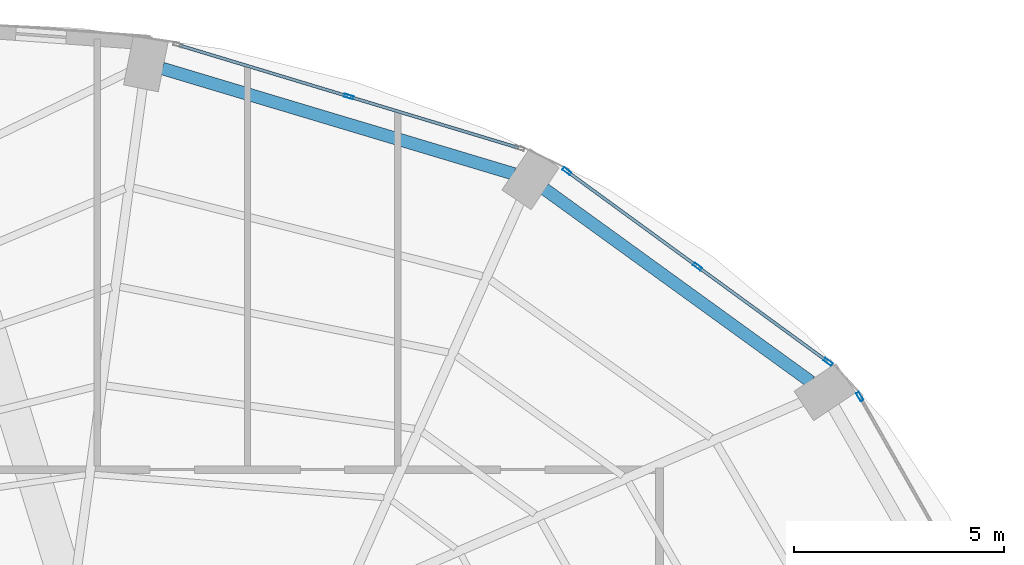
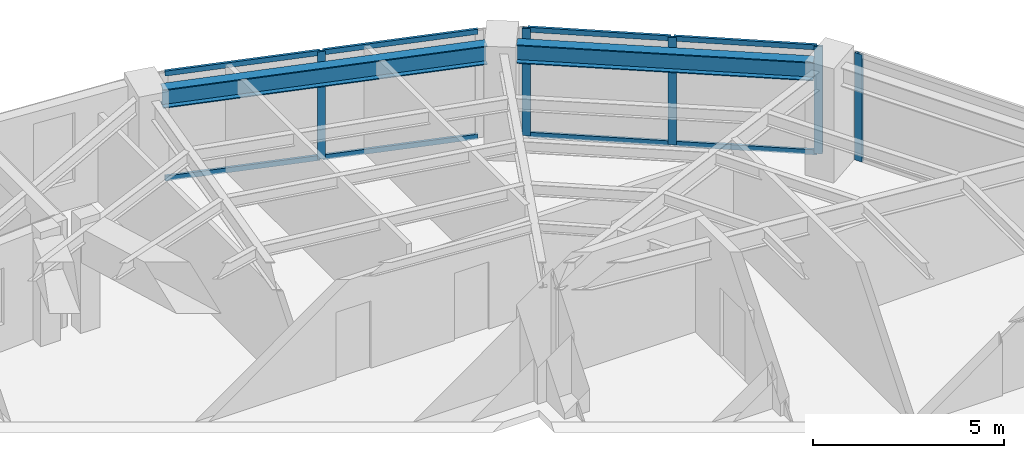
# One storey, part 17 of 23: 13 members, 2 beams, 3 elements without a shape of their own.
"""IFC4 building model written with IfcOpenShell, lengths in metres."""

from ifc_helpers import new_model, si_unit, direction, frame, origin, origin_2d, place, context, subcontext, project, spatial, hollow_rectangle, i_section, extrude, material, layer, layer_set, material_profile, profile_set, type_object, element, aggregate, save


model = new_model("IFC4")

# Units and contexts
model_context = context("Model", 3, precision=1e-05, world=origin(), true_north=direction((0.0, 1.0)))
body_context = subcontext(model_context, "Body", "Model", "MODEL_VIEW")
ifc_project = project(units=[si_unit("LENGTHUNIT", "METRE"), si_unit("AREAUNIT", "SQUARE_METRE"), si_unit("VOLUMEUNIT", "CUBIC_METRE"), si_unit("PLANEANGLEUNIT", "RADIAN"), si_unit("MASSUNIT", "GRAM", prefix="KILO")], contexts=[model_context])

# Site, building, storey
site_placement = place(None, origin())
site = spatial("IfcSite", under=ifc_project, at=site_placement, CompositionType="ELEMENT")
building_placement = place(site_placement, origin())
building = spatial("IfcBuilding", under=site, at=building_placement, Name="Lazwardi Medical Tower", CompositionType="ELEMENT")
storey_placement = place(building_placement, frame((0.0, 0.0, 89.0400390625)))
storey = spatial("IfcBuildingStorey", under=building, at=storey_placement, Name="L22", CompositionType="ELEMENT", Elevation=89.0400390625)

# Beams
ifc_material_1 = material(Name="Steel S355", Category="steel")
ifc_material_profile_1 = material_profile(ifc_material_1, i_section(OverallWidth=0.300048828125, OverallDepth=0.60009765625, WebThickness=0.015380859375, FlangeThickness=0.030029296875, at=origin_2d()), Name="HEB 600")
ifc_profile_set_1 = profile_set([ifc_material_profile_1], Name="Steel S355")
beam_type = type_object("IfcBeamType", Name="BM-RB-Z2", PredefinedType="BEAM", material=ifc_profile_set_1)
beam_1_placement = place(storey_placement, frame((56.74560546875, 40.835205078125, 3.1279296875), z_axis=(-0.81005674773, 0.586351486275, 0.0), x_axis=(-0.586351486275, -0.81005674773, 0.0)))
element("IfcBeam", 1, at=beam_1_placement, inside=storey, type_object=beam_type, Name="Ring beam RB-03 B06 L22", PredefinedType="BEAM", context=body_context, shape_type="SweptSolid", body=[
    extrude(i_section(OverallWidth=0.300048828125, OverallDepth=0.60009765625, WebThickness=0.015380859375, FlangeThickness=0.030029296875, at=origin_2d()), origin(), (0.0, 0.0, 1.0), 7.81396484375),
])
beam_2_placement = place(storey_placement, frame((49.69091796875, 45.775390625, 3.1279296875), z_axis=(-0.957879438442, 0.287170648587, 0.0), x_axis=(-0.287170648587, -0.957879438442, 0.0)))
element("IfcBeam", 2, at=beam_2_placement, inside=storey, type_object=beam_type, Name="Ring beam RB-03 B07 L22", PredefinedType="BEAM", context=body_context, shape_type="SweptSolid", body=[
    extrude(i_section(OverallWidth=0.300048828125, OverallDepth=0.60009765625, WebThickness=0.015380859375, FlangeThickness=0.030029296875, at=origin_2d()), origin(), (0.0, 0.0, 1.0), 8.719970703125),
])

# Curtain wall, member
ifc_material_2 = material(Name="Anodised bronze aluminium and solar control glazing", Category="aluminium")
ifc_layer = layer(ifc_material_2, 0.195068359375)
ifc_layer_set = layer_set([ifc_layer], Name="Anodised bronze aluminium and solar control glazing")
curtain_wall_type = type_object("IfcCurtainWallType", Name="CW-SYS-03", PredefinedType="NOTDEFINED", material=ifc_layer_set)
curtain_wall_1_placement = place(storey_placement, origin())
curtain_wall_1 = element("IfcCurtainWall", 3, at=curtain_wall_1_placement, inside=storey, type_object=curtain_wall_type, Name="L22 Unitised bronze curtain wall CW-03", PredefinedType="NOTDEFINED")
ifc_material_3 = material(Name="Anodised bronze aluminium", Category="aluminium")
ifc_material_profile_2 = material_profile(ifc_material_3, hollow_rectangle(XDim=0.074951171875, YDim=0.219970703125, WallThickness=0.00390625, at=origin_2d()), Name="ALU-MULLION 220x75x4")
ifc_profile_set_2 = profile_set([ifc_material_profile_2], Name="Anodised bronze aluminium")
member_type_1 = type_object("IfcMemberType", Name="CW-MUL-01", PredefinedType="MULLION", material=ifc_profile_set_2)
member_1_placement = place(storey_placement, frame((57.9072265625, 40.48583984375, 0.0), z_axis=(0.0, 0.0, 1.0), x_axis=(-0.869687265712, -0.493603140041, 0.0)))
member_1 = element("IfcMember", 4, at=member_1_placement, type_object=member_type_1, Name="CW-03 mullion 2", PredefinedType="MULLION", context=body_context, shape_type="SweptSolid", body=[
    extrude(hollow_rectangle(XDim=0.074951171875, YDim=0.219970703125, WallThickness=0.00390625, at=origin_2d()), origin(), (0.0, 0.0, 1.0), 3.427978515625),
])
aggregate(curtain_wall_1, [member_1])

# Curtain wall, members
curtain_wall_2_placement = place(storey_placement, origin())
curtain_wall_2 = element("IfcCurtainWall", 5, at=curtain_wall_2_placement, inside=storey, type_object=curtain_wall_type, Name="L22 Unitised bronze curtain wall CW-03", PredefinedType="NOTDEFINED")
member_2_placement = place(storey_placement, frame((57.155029296875, 41.308837890625, 0.0), z_axis=(0.0, 0.0, 1.0), x_axis=(-0.589530882802, -0.807745837639, 0.0)))
member_2 = element("IfcMember", 6, at=member_2_placement, type_object=member_type_1, Name="CW-03 mullion 1", PredefinedType="MULLION", context=body_context, shape_type="SweptSolid", body=[
    extrude(hollow_rectangle(XDim=0.074951171875, YDim=0.219970703125, WallThickness=0.00390625, at=origin_2d()), origin(), (0.0, 0.0, 1.0), 3.427978515625),
])
member_3_placement = place(storey_placement, frame((54.051025390625, 43.57421875, 0.0), z_axis=(0.0, 0.0, 1.0), x_axis=(-0.589530882802, -0.807745837639, 0.0)))
member_3 = element("IfcMember", 7, at=member_3_placement, type_object=member_type_1, Name="CW-03 mullion 2", PredefinedType="MULLION", context=body_context, shape_type="SweptSolid", body=[
    extrude(hollow_rectangle(XDim=0.074951171875, YDim=0.219970703125, WallThickness=0.00390625, at=origin_2d()), origin(), (0.0, 0.0, 1.0), 3.427978515625),
])
member_4_placement = place(storey_placement, frame((50.947265625, 45.839599609375, 0.0), z_axis=(0.0, 0.0, 1.0), x_axis=(-0.589530882802, -0.807745837639, 0.0)))
member_4 = element("IfcMember", 8, at=member_4_placement, type_object=member_type_1, Name="CW-03 mullion 3", PredefinedType="MULLION", context=body_context, shape_type="SweptSolid", body=[
    extrude(hollow_rectangle(XDim=0.074951171875, YDim=0.219970703125, WallThickness=0.00390625, at=origin_2d()), origin(), (0.0, 0.0, 1.0), 3.427978515625),
])

# Curtain wall, member
curtain_wall_3_placement = place(storey_placement, origin())
curtain_wall_3 = element("IfcCurtainWall", 9, at=curtain_wall_3_placement, inside=storey, type_object=curtain_wall_type, Name="L22 Unitised bronze curtain wall CW-03", PredefinedType="NOTDEFINED")
member_5_placement = place(storey_placement, frame((45.769287109375, 47.613037109375, 0.0), z_axis=(0.0, 0.0, 1.0), x_axis=(-0.28937381157, -0.957216170558, 0.0)))
member_5 = element("IfcMember", 10, at=member_5_placement, type_object=member_type_1, Name="CW-03 mullion 2", PredefinedType="MULLION", context=body_context, shape_type="SweptSolid", body=[
    extrude(hollow_rectangle(XDim=0.074951171875, YDim=0.219970703125, WallThickness=0.00390625, at=origin_2d()), origin(), (0.0, 0.0, 1.0), 3.427978515625),
])

# Member
ifc_material_profile_3 = material_profile(ifc_material_3, hollow_rectangle(XDim=0.074951171875, YDim=0.159912109375, WallThickness=0.00390625, at=origin_2d()), Name="ALU-TRANSOM 160x75x4")
ifc_profile_set_3 = profile_set([ifc_material_profile_3], Name="Anodised bronze aluminium")
member_type_2 = type_object("IfcMemberType", Name="CW-TRN-01", PredefinedType="USERDEFINED", material=ifc_profile_set_3)
member_6_placement = place(storey_placement, frame((57.12451171875, 41.3310546875, 0.037353515625), z_axis=(-0.807731734271, 0.589550206049, 0.0), x_axis=(-0.589550206049, -0.807731734271, 0.0)))
member_6 = element("IfcMember", 11, at=member_6_placement, type_object=member_type_2, Name="CW-03 transom 1.1", ObjectType="TRANSOM", PredefinedType="USERDEFINED", context=body_context, shape_type="SweptSolid", body=[
    extrude(hollow_rectangle(XDim=0.074951171875, YDim=0.159912109375, WallThickness=0.00390625, at=origin_2d()), origin(), (0.0, 0.0, 1.0), 3.767578125),
])

member_7_placement = place(storey_placement, frame((57.12451171875, 41.3310546875, 3.390380859375), z_axis=(-0.807731734271, 0.589550206049, 0.0), x_axis=(-0.589550206049, -0.807731734271, 0.0)))
member_7 = element("IfcMember", 12, at=member_7_placement, type_object=member_type_2, Name="CW-03 transom 1.2", ObjectType="TRANSOM", PredefinedType="USERDEFINED", context=body_context, shape_type="SweptSolid", body=[
    extrude(hollow_rectangle(XDim=0.074951171875, YDim=0.159912109375, WallThickness=0.00390625, at=origin_2d()), origin(), (0.0, 0.0, 1.0), 3.767578125),
])

member_8_placement = place(storey_placement, frame((54.020751953125, 43.596435546875, 0.037353515625), z_axis=(-0.80776259199, 0.58950792614, 0.0), x_axis=(-0.58950792614, -0.80776259199, 0.0)))
member_8 = element("IfcMember", 13, at=member_8_placement, type_object=member_type_2, Name="CW-03 transom 2.1", ObjectType="TRANSOM", PredefinedType="USERDEFINED", context=body_context, shape_type="SweptSolid", body=[
    extrude(hollow_rectangle(XDim=0.074951171875, YDim=0.159912109375, WallThickness=0.00390625, at=origin_2d()), origin(), (0.0, 0.0, 1.0), 3.767578125),
])

member_9_placement = place(storey_placement, frame((54.020751953125, 43.596435546875, 3.390380859375), z_axis=(-0.80776259199, 0.58950792614, 0.0), x_axis=(-0.58950792614, -0.80776259199, 0.0)))
member_9 = element("IfcMember", 14, at=member_9_placement, type_object=member_type_2, Name="CW-03 transom 2.2", ObjectType="TRANSOM", PredefinedType="USERDEFINED", context=body_context, shape_type="SweptSolid", body=[
    extrude(hollow_rectangle(XDim=0.074951171875, YDim=0.159912109375, WallThickness=0.00390625, at=origin_2d()), origin(), (0.0, 0.0, 1.0), 3.767578125),
])

aggregate(curtain_wall_2, [member_2, member_3, member_4, member_6, member_7, member_8, member_9])

member_10_placement = place(storey_placement, frame((49.79248046875, 46.396728515625, 0.037353515625), z_axis=(-0.957204630929, 0.289411980623, 0.0), x_axis=(-0.289411980623, -0.957204630929, 0.0)))
member_10 = element("IfcMember", 15, at=member_10_placement, type_object=member_type_2, Name="CW-03 transom 1.1", ObjectType="TRANSOM", PredefinedType="USERDEFINED", context=body_context, shape_type="SweptSolid", body=[
    extrude(hollow_rectangle(XDim=0.074951171875, YDim=0.159912109375, WallThickness=0.00390625, at=origin_2d()), origin(), (0.0, 0.0, 1.0), 4.16552734375),
])

member_11_placement = place(storey_placement, frame((49.79248046875, 46.396728515625, 3.390380859375), z_axis=(-0.957204630929, 0.289411980623, 0.0), x_axis=(-0.289411980623, -0.957204630929, 0.0)))
member_11 = element("IfcMember", 16, at=member_11_placement, type_object=member_type_2, Name="CW-03 transom 1.2", ObjectType="TRANSOM", PredefinedType="USERDEFINED", context=body_context, shape_type="SweptSolid", body=[
    extrude(hollow_rectangle(XDim=0.074951171875, YDim=0.159912109375, WallThickness=0.00390625, at=origin_2d()), origin(), (0.0, 0.0, 1.0), 4.16552734375),
])

member_12_placement = place(storey_placement, frame((45.7333984375, 47.6240234375, 0.037353515625), z_axis=(-0.957220865985, 0.289358279168, 0.0), x_axis=(-0.289358279168, -0.957220865985, 0.0)))
member_12 = element("IfcMember", 17, at=member_12_placement, type_object=member_type_2, Name="CW-03 transom 2.1", ObjectType="TRANSOM", PredefinedType="USERDEFINED", context=body_context, shape_type="SweptSolid", body=[
    extrude(hollow_rectangle(XDim=0.074951171875, YDim=0.159912109375, WallThickness=0.00390625, at=origin_2d()), origin(), (0.0, 0.0, 1.0), 4.16552734375),
])

member_13_placement = place(storey_placement, frame((45.7333984375, 47.6240234375, 3.390380859375), z_axis=(-0.957220865985, 0.289358279168, 0.0), x_axis=(-0.289358279168, -0.957220865985, 0.0)))
member_13 = element("IfcMember", 18, at=member_13_placement, type_object=member_type_2, Name="CW-03 transom 2.2", ObjectType="TRANSOM", PredefinedType="USERDEFINED", context=body_context, shape_type="SweptSolid", body=[
    extrude(hollow_rectangle(XDim=0.074951171875, YDim=0.159912109375, WallThickness=0.00390625, at=origin_2d()), origin(), (0.0, 0.0, 1.0), 4.16552734375),
])

aggregate(curtain_wall_3, [member_5, member_10, member_11, member_12, member_13])

save(model, "model.ifc")
